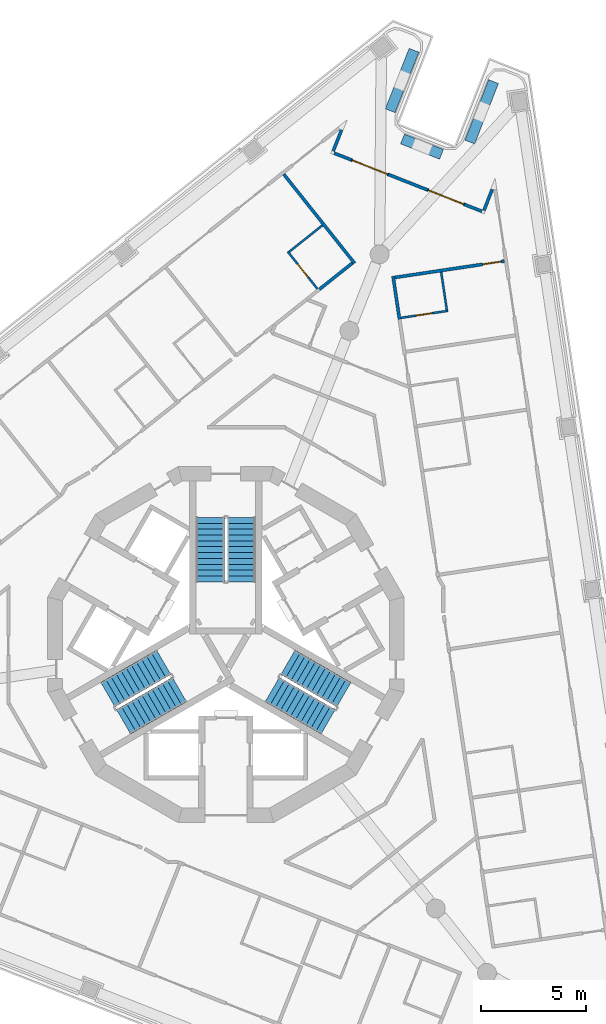
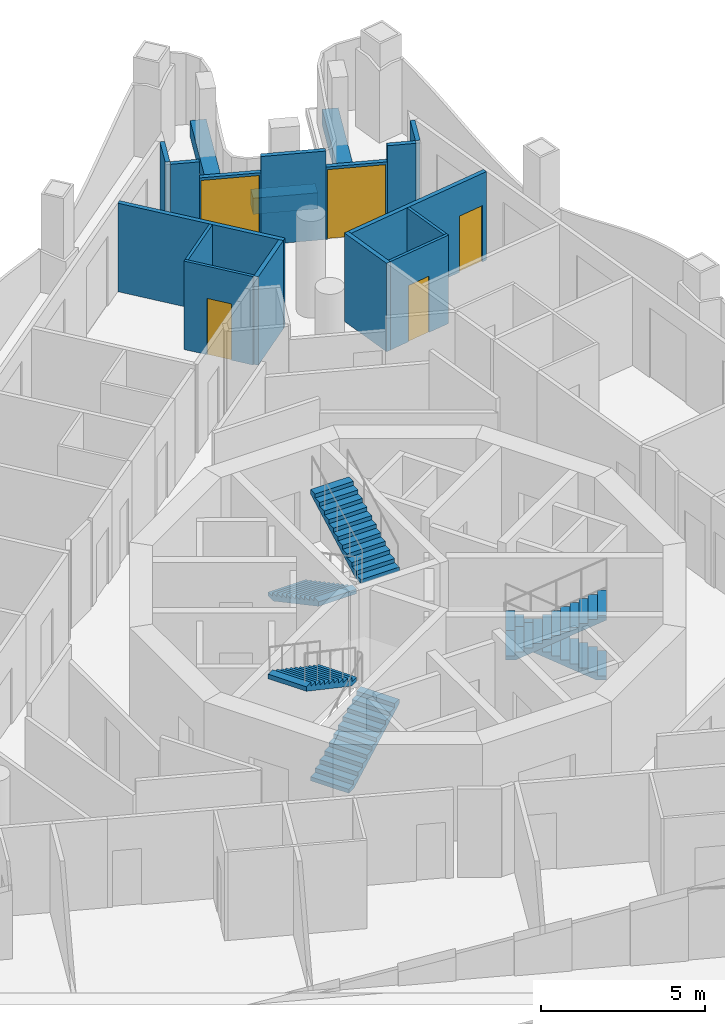
# One storey, part 9 of 16: 18 walls, 6 stair flights, 5 doors, 5 openings, 3 elements without a shape of their own.
"""IFC4 building model written with IfcOpenShell, lengths in metres."""

from ifc_helpers import new_model, si_unit, direction, frame, frame_2d, origin, place, context, subcontext, project, spatial, polyline, rectangle, outline, extrude, material, layer, layer_set, type_object, element, fill, aggregate, save


model = new_model("IFC4")

# Units and contexts
model_context = context("Model", 3, precision=1e-05, world=origin(), true_north=direction((0.0, 1.0)))
body_context = subcontext(model_context, "Body", "Model", "MODEL_VIEW")
ifc_project = project(units=[si_unit("LENGTHUNIT", "METRE"), si_unit("AREAUNIT", "SQUARE_METRE"), si_unit("VOLUMEUNIT", "CUBIC_METRE"), si_unit("PLANEANGLEUNIT", "RADIAN"), si_unit("MASSUNIT", "GRAM", prefix="KILO")], contexts=[model_context])

# Site, building, storey
site_placement = place(None, origin())
site = spatial("IfcSite", under=ifc_project, at=site_placement, CompositionType="ELEMENT")
building_placement = place(site_placement, origin())
building = spatial("IfcBuilding", under=site, at=building_placement, Name="Trine Commons Tower", CompositionType="ELEMENT")
storey_placement = place(building_placement, frame((0.0, 0.0, 205.199951171875)))
storey = spatial("IfcBuildingStorey", under=building, at=storey_placement, Name="L53", CompositionType="ELEMENT", Elevation=205.199951171875)

# Walls
ifc_material_1 = material(Name="Aluminium-framed insulated wall panel", Category="aluminium")
ifc_layer_1 = layer(ifc_material_1, 0.14990234375)
ifc_layer_set_1 = layer_set([ifc_layer_1], Name="Aluminium-framed insulated wall panel")
wall_type_1 = type_object("IfcWallType", Name="Glazed frame wall 150, EI 60", PredefinedType="SOLIDWALL", material=ifc_layer_set_1)
wall_1_placement = place(storey_placement, frame((85.575927734375, 87.201171875, 0.0), z_axis=(0.0, 0.0, 1.0), x_axis=(-0.366472142006, -0.930429024232, 0.0)))
element("IfcWall", 1, at=wall_1_placement, inside=storey, type_object=wall_type_1, Name="Glazed frame wall R2", PredefinedType="SOLIDWALL", context=body_context, shape_type="SweptSolid", body=[
    extrude(outline(polyline([(0.1494140625, 0.074951171875), (0.1494140625, -0.074951171875), (1.235107421875, -0.074951171875), (1.235107421875, 0.074951171875), (0.1494140625, 0.074951171875)])), origin(), (0.0, 0.0, 1.0), 3.300048828125),
])
wall_2_placement = place(storey_placement, frame((85.063232421875, 85.9951171875, 0.0), z_axis=(0.0, 0.0, 1.0), x_axis=(0.930433620143, -0.366460473323, 0.0)))
element("IfcWall", 2, at=wall_2_placement, inside=storey, type_object=wall_type_1, Name="Glazed frame wall P1.1", PredefinedType="SOLIDWALL", context=body_context, shape_type="SweptSolid", body=[
    extrude(outline(polyline([(0.110107421875, -0.074951171875), (1.0, -0.074951171875), (1.0, 0.074951171875), (0.110107421875, 0.074951171875), (0.110107421875, -0.074951171875)])), origin(), (0.0, 0.0, 1.0), 3.300048828125),
])

# Wall, opening, door
wall_3_placement = place(storey_placement, frame((85.99365234375, 85.628662109375, 0.0), z_axis=(0.0, 0.0, 1.0), x_axis=(0.930387146689, -0.366578446279, 0.0)))
wall_3 = element("IfcWall", 3, at=wall_3_placement, inside=storey, type_object=wall_type_1, Name="Glazed frame wall P1.2", PredefinedType="SOLIDWALL", context=body_context, shape_type="SweptSolid", body=[
    extrude(outline(polyline([(0.0, -0.074951171875), (1.89990234375, -0.074951171875), (1.89990234375, 0.074951171875), (0.0, 0.074951171875), (0.0, -0.074951171875)])), origin(), (0.0, 0.0, 1.0), 2.699951171875),
])
opening_1_placement = place(wall_3_placement, frame((0.050048828125, 0.0, 0.0)))
opening_1 = element("IfcOpeningElement", 4, at=opening_1_placement, cuts=wall_3, Name="Opening BD-6P1-01", PredefinedType="OPENING", context=body_context, shape_type="SweptSolid", body=[
    extrude(rectangle(XDim=1.800048828125, YDim=2.60009765625, at=frame_2d((0.89990234375, 1.300048828125))), frame((0.0, 0.0849609375, 0.0), z_axis=(0.0, -1.0, 0.0), x_axis=(1.0, 0.0, 0.0)), (0.0, 0.0, 1.0), 0.169921875),
])
ifc_material_2 = material(Name="Anodised aluminium frame with double glazing", Category="aluminium")
door_type_1 = type_object("IfcDoorType", Name="Sliding loggia door 1800x2600", OperationType="SLIDING_TO_LEFT", PredefinedType="DOOR", material=ifc_material_2)
door_1_placement = place(opening_1_placement, origin())
door_1 = element("IfcDoor", 5, at=door_1_placement, inside=storey, type_object=door_type_1, Name="Loggia door P1 1", OperationType="SLIDING_TO_LEFT", OverallHeight=2.60009765625, OverallWidth=1.800048828125, PredefinedType="DOOR", context=body_context, shape_type="SweptSolid", body=[
    extrude(rectangle(XDim=1.800048828125, YDim=2.60009765625, at=frame_2d((0.89990234375, 1.300048828125))), frame((0.0, 0.02490234375, 0.0), z_axis=(0.0, -1.0, 0.0), x_axis=(1.0, 0.0, 0.0)), (0.0, 0.0, 1.0), 0.050048828125),
])
fill(opening_1, door_1)

# Wall
wall_4_placement = place(storey_placement, frame((87.761474609375, 84.93212890625, 0.0), z_axis=(0.0, 0.0, 1.0), x_axis=(0.930433620143, -0.366460473323, 0.0)))
element("IfcWall", 6, at=wall_4_placement, inside=storey, type_object=wall_type_1, Name="Glazed frame wall P1.3", PredefinedType="SOLIDWALL", context=body_context, shape_type="SweptSolid", body=[
    extrude(outline(polyline([(0.0, -0.074951171875), (2.0, -0.074951171875), (2.0, 0.074951171875), (0.0, 0.074951171875), (0.0, -0.074951171875)])), origin(), (0.0, 0.0, 1.0), 3.300048828125),
])

# Wall, opening, door
wall_5_placement = place(storey_placement, frame((89.622314453125, 84.19921875, 0.0), z_axis=(0.0, 0.0, 1.0), x_axis=(0.930387146689, -0.366578446279, 0.0)))
wall_5 = element("IfcWall", 7, at=wall_5_placement, inside=storey, type_object=wall_type_1, Name="Glazed frame wall P1.4", PredefinedType="SOLIDWALL", context=body_context, shape_type="SweptSolid", body=[
    extrude(outline(polyline([(0.0, -0.074951171875), (1.89990234375, -0.074951171875), (1.89990234375, 0.074951171875), (0.0, 0.074951171875), (0.0, -0.074951171875)])), origin(), (0.0, 0.0, 1.0), 2.699951171875),
])
opening_2_placement = place(wall_5_placement, frame((0.050048828125, 0.0, 0.0)))
opening_2 = element("IfcOpeningElement", 8, at=opening_2_placement, cuts=wall_5, Name="Opening BD-6P1-02", PredefinedType="OPENING", context=body_context, shape_type="SweptSolid", body=[
    extrude(rectangle(XDim=1.800048828125, YDim=2.60009765625, at=frame_2d((0.89990234375, 1.300048828125))), frame((0.0, 0.0849609375, 0.0), z_axis=(0.0, -1.0, 0.0), x_axis=(1.0, 0.0, 0.0)), (0.0, 0.0, 1.0), 0.169921875),
])
door_2_placement = place(opening_2_placement, origin())
door_2 = element("IfcDoor", 9, at=door_2_placement, inside=storey, type_object=door_type_1, Name="Loggia door P1 2", OperationType="SLIDING_TO_LEFT", OverallHeight=2.60009765625, OverallWidth=1.800048828125, PredefinedType="DOOR", context=body_context, shape_type="SweptSolid", body=[
    extrude(rectangle(XDim=1.800048828125, YDim=2.60009765625, at=frame_2d((0.89990234375, 1.300048828125))), frame((0.0, 0.02490234375, 0.0), z_axis=(0.0, -1.0, 0.0), x_axis=(1.0, 0.0, 0.0)), (0.0, 0.0, 1.0), 0.050048828125),
])
fill(opening_2, door_2)

# Walls
wall_6_placement = place(storey_placement, frame((91.39013671875, 83.502685546875, 0.0), z_axis=(0.0, 0.0, 1.0), x_axis=(0.930433620143, -0.366460473323, 0.0)))
element("IfcWall", 10, at=wall_6_placement, inside=storey, type_object=wall_type_1, Name="Glazed frame wall P1.5", PredefinedType="SOLIDWALL", context=body_context, shape_type="SweptSolid", body=[
    extrude(outline(polyline([(0.889892578125, 0.074951171875), (0.0, 0.074951171875), (0.0, -0.074951171875), (0.889892578125, -0.074951171875), (0.889892578125, 0.074951171875)])), origin(), (0.0, 0.0, 1.0), 3.300048828125),
])
wall_7_placement = place(storey_placement, frame((92.275146484375, 83.11669921875, 0.0), z_axis=(0.0, 0.0, 1.0), x_axis=(0.366534042844, 0.9304046407, 0.0)))
element("IfcWall", 11, at=wall_7_placement, inside=storey, type_object=wall_type_1, Name="Glazed frame wall R4", PredefinedType="SOLIDWALL", context=body_context, shape_type="SweptSolid", body=[
    extrude(outline(polyline([(0.110107421875, 0.074951171875), (0.110107421875, -0.074951171875), (1.19580078125, -0.074951171875), (1.19580078125, 0.074951171875), (0.110107421875, 0.074951171875)])), origin(), (0.0, 0.0, 1.0), 3.300048828125),
])
ifc_material_3 = material(Name="Planter trough, precast concrete C40/50", Category="concrete")
ifc_layer_2 = layer(ifc_material_3, 0.5)
ifc_layer_set_2 = layer_set([ifc_layer_2], Name="Planter trough, precast concrete C40/50")
wall_type_2 = type_object("IfcWallType", Name="Planter trough 500x600", PredefinedType="PARAPET", material=ifc_layer_set_2)
wall_8_placement = place(storey_placement, frame((88.97998046875, 90.86328125, 0.0), z_axis=(0.0, 0.0, 1.0), x_axis=(-0.366456340628, -0.930435247835, 0.0)))
element("IfcWall", 12, at=wall_8_placement, inside=storey, type_object=wall_type_2, Name="Planter 4", PredefinedType="PARAPET", context=body_context, shape_type="SweptSolid", body=[
    extrude(rectangle(XDim=3.099853515625, YDim=0.5, at=frame_2d((1.5498046875, 0.0))), origin(), (0.0, 0.0, 1.0), 0.60009765625),
])
wall_9_placement = place(storey_placement, frame((88.430419921875, 86.630126953125, 0.0), z_axis=(0.0, 0.0, 1.0), x_axis=(0.930417223886, -0.366502100263, 0.0)))
element("IfcWall", 13, at=wall_9_placement, inside=storey, type_object=wall_type_2, Name="Planter 5", PredefinedType="PARAPET", context=body_context, shape_type="SweptSolid", body=[
    extrude(rectangle(XDim=1.999755859375, YDim=0.5, at=frame_2d((1.0, 0.0))), origin(), (0.0, 0.0, 1.0), 0.60009765625),
])
wall_10_placement = place(storey_placement, frame((91.639892578125, 86.483642578125, 0.0), z_axis=(0.0, 0.0, 1.0), x_axis=(0.366524518382, 0.930408392817, 0.0)))
element("IfcWall", 14, at=wall_10_placement, inside=storey, type_object=wall_type_2, Name="Planter 6", PredefinedType="PARAPET", context=body_context, shape_type="SweptSolid", body=[
    extrude(rectangle(XDim=3.10009765625, YDim=0.5, at=frame_2d((1.550048828125, 0.0))), origin(), (0.0, 0.0, 1.0), 0.60009765625),
])
ifc_material_4 = material(Name="Gypsum plasterboard on steel stud", Category="steel")
ifc_layer_3 = layer(ifc_material_4, 0.14990234375)
ifc_layer_set_3 = layer_set([ifc_layer_3], Name="Gypsum plasterboard on steel stud")
wall_type_3 = type_object("IfcWallType", Name="Unit and corridor wall 150 mm, EI 60", PredefinedType="PARTITIONING", material=ifc_layer_set_3)
wall_11_placement = place(storey_placement, frame((82.761962890625, 84.94970703125, 0.0), z_axis=(0.0, 0.0, 1.0), x_axis=(0.622457280045, -0.782653776915, 0.0)))
element("IfcWall", 15, at=wall_11_placement, inside=storey, type_object=wall_type_3, Name="Partition 065", PredefinedType="PARTITIONING", context=body_context, shape_type="SweptSolid", body=[
    extrude(rectangle(XDim=5.4345703125, YDim=0.14990234375, at=frame_2d((2.71728515625, 0.0))), origin(), (0.0, 0.0, 1.0), 3.300048828125),
])
wall_12_placement = place(storey_placement, frame((84.4130859375, 79.4150390625, 0.0), z_axis=(0.0, 0.0, 1.0), x_axis=(0.782688216637, 0.622413974407, 0.0)))
element("IfcWall", 16, at=wall_12_placement, inside=storey, type_object=wall_type_3, Name="Partition 078", PredefinedType="PARTITIONING", context=body_context, shape_type="SweptSolid", body=[
    extrude(rectangle(XDim=2.07763671875, YDim=0.14990234375, at=frame_2d((1.038818359375, 0.0))), origin(), (0.0, 0.0, 1.0), 3.300048828125),
])
wall_13_placement = place(storey_placement, frame((87.97900390625, 80.084228515625, 0.0), z_axis=(0.0, 0.0, 1.0), x_axis=(0.147880939426, -0.989005170742, 0.0)))
element("IfcWall", 17, at=wall_13_placement, inside=storey, type_object=wall_type_3, Name="Partition 088", PredefinedType="PARTITIONING", context=body_context, shape_type="SweptSolid", body=[
    extrude(rectangle(XDim=2.07861328125, YDim=0.14990234375, at=frame_2d((1.039306640625, 0.0))), origin(), (0.0, 0.0, 1.0), 3.300048828125),
])

# Wall, opening, door
wall_14_placement = place(storey_placement, frame((88.064208984375, 80.02099609375, 0.0), z_axis=(0.0, 0.0, 1.0), x_axis=(0.988994889639, 0.147949681543, 0.0)))
wall_14 = element("IfcWall", 18, at=wall_14_placement, inside=storey, type_object=wall_type_3, Name="Partition 089", PredefinedType="PARTITIONING", context=body_context, shape_type="SweptSolid", body=[
    extrude(rectangle(XDim=5.285400390625, YDim=0.14990234375, at=frame_2d((2.642578125, 0.0))), origin(), (0.0, 0.0, 1.0), 3.300048828125),
])
opening_3_placement = place(wall_14_placement, frame((4.2353515625, 0.0, 0.0)))
opening_3 = element("IfcOpeningElement", 19, at=opening_3_placement, cuts=wall_14, Name="Opening D-6A13", PredefinedType="OPENING", context=body_context, shape_type="SweptSolid", body=[
    extrude(rectangle(XDim=0.89990234375, YDim=2.10009765625, at=frame_2d((0.449951171875, 1.050048828125))), frame((0.0, 0.0849609375, 0.0), z_axis=(0.0, -1.0, 0.0), x_axis=(1.0, 0.0, 0.0)), (0.0, 0.0, 1.0), 0.169921875),
])
ifc_material_5 = material(Name="Timber fire door set", Category="wood")
door_type_2 = type_object("IfcDoorType", Name="Bedroom door 900 x 2100, FD30S", OperationType="NOTDEFINED", PredefinedType="DOOR", material=ifc_material_5)
door_3_placement = place(opening_3_placement, frame((0.89990234375, 0.0, 0.0), z_axis=(0.0, 0.0, 1.0), x_axis=(-1.0, 0.0, 0.0)))
door_3 = element("IfcDoor", 20, at=door_3_placement, inside=storey, type_object=door_type_2, Name="Door D-6A13", OperationType="SINGLE_SWING_LEFT", OverallHeight=2.10009765625, OverallWidth=0.89990234375, PredefinedType="DOOR", context=body_context, shape_type="SweptSolid", body=[
    extrude(rectangle(XDim=0.89990234375, YDim=2.10009765625, at=frame_2d((0.449951171875, 1.050048828125))), frame((0.0, 0.02490234375, 0.0), z_axis=(0.0, -1.0, 0.0), x_axis=(1.0, 0.0, 0.0)), (0.0, 0.0, 1.0), 0.050048828125),
])
fill(opening_3, door_3)

ifc_layer_4 = layer(ifc_material_4, 0.10009765625)
ifc_layer_set_4 = layer_set([ifc_layer_4], Name="Gypsum plasterboard on steel stud")
wall_type_4 = type_object("IfcWallType", Name="Unit partition 100 mm, no rating", PredefinedType="PARTITIONING", material=ifc_layer_set_4)
wall_15_placement = place(storey_placement, frame((82.952880859375, 81.256103515625, 0.0), z_axis=(0.0, 0.0, 1.0), x_axis=(0.622572854105, -0.782561845052, 0.0)))
wall_15 = element("IfcWall", 21, at=wall_15_placement, inside=storey, type_object=wall_type_4, Name="Partition 069", PredefinedType="PARTITIONING", context=body_context, shape_type="SweptSolid", body=[
    extrude(rectangle(XDim=2.275146484375, YDim=0.10009765625, at=frame_2d((1.1376953125, 0.0))), origin(), (0.0, 0.0, 1.0), 3.300048828125),
])
opening_4_placement = place(wall_15_placement, frame((0.7626953125, 0.0, 0.0)))
opening_4 = element("IfcOpeningElement", 22, at=opening_4_placement, cuts=wall_15, Name="Opening D-6A33", PredefinedType="OPENING", context=body_context, shape_type="SweptSolid", body=[
    extrude(rectangle(XDim=0.800048828125, YDim=2.10009765625, at=frame_2d((0.39990234375, 1.050048828125))), frame((0.0, 0.06005859375, 0.0), z_axis=(0.0, -1.0, 0.0), x_axis=(1.0, 0.0, 0.0)), (0.0, 0.0, 1.0), 0.1201171875),
])
ifc_material_6 = material(Name="Painted timber", Category="wood")
door_type_3 = type_object("IfcDoorType", Name="Internal door 800 x 2100, NOT RATED", OperationType="NOTDEFINED", PredefinedType="DOOR", material=ifc_material_6)
door_4_placement = place(opening_4_placement, frame((0.800048828125, 0.0, 0.0), z_axis=(0.0, 0.0, 1.0), x_axis=(-1.0, 0.0, 0.0)))
door_4 = element("IfcDoor", 23, at=door_4_placement, inside=storey, type_object=door_type_3, Name="Door D-6A33", OperationType="SINGLE_SWING_LEFT", OverallHeight=2.10009765625, OverallWidth=0.800048828125, PredefinedType="DOOR", context=body_context, shape_type="SweptSolid", body=[
    extrude(rectangle(XDim=0.800048828125, YDim=2.10009765625, at=frame_2d((0.39990234375, 1.050048828125))), frame((0.0, 0.02490234375, 0.0), z_axis=(0.0, -1.0, 0.0), x_axis=(1.0, 0.0, 0.0)), (0.0, 0.0, 1.0), 0.050048828125),
])
fill(opening_4, door_4)

# Wall
wall_16_placement = place(storey_placement, frame((83.023193359375, 81.248046875, 0.0), z_axis=(0.0, 0.0, 1.0), x_axis=(0.782770551169, 0.622310424324, 0.0)))
element("IfcWall", 24, at=wall_16_placement, inside=storey, type_object=wall_type_4, Name="Partition 070", PredefinedType="PARTITIONING", context=body_context, shape_type="SweptSolid", body=[
    extrude(rectangle(XDim=2.025146484375, YDim=0.10009765625, at=frame_2d((1.0126953125, 0.0))), origin(), (0.0, 0.0, 1.0), 3.300048828125),
])

# Wall, opening, door
wall_17_placement = place(storey_placement, frame((88.352294921875, 78.093017578125, 0.0), z_axis=(0.0, 0.0, 1.0), x_axis=(0.989007860101, 0.147862952286, 0.0)))
wall_17 = element("IfcWall", 25, at=wall_17_placement, inside=storey, type_object=wall_type_4, Name="Partition 090", PredefinedType="PARTITIONING", context=body_context, shape_type="SweptSolid", body=[
    extrude(rectangle(XDim=2.275146484375, YDim=0.10009765625, at=frame_2d((1.1376953125, 0.0))), origin(), (0.0, 0.0, 1.0), 3.300048828125),
])
opening_5_placement = place(wall_17_placement, frame((0.712646484375, 0.0, 0.0)))
opening_5 = element("IfcOpeningElement", 26, at=opening_5_placement, cuts=wall_17, Name="Opening D-6A34", PredefinedType="OPENING", context=body_context, shape_type="SweptSolid", body=[
    extrude(rectangle(XDim=0.800048828125, YDim=2.10009765625, at=frame_2d((0.39990234375, 1.050048828125))), frame((0.0, 0.06005859375, 0.0), z_axis=(0.0, -1.0, 0.0), x_axis=(1.0, 0.0, 0.0)), (0.0, 0.0, 1.0), 0.1201171875),
])
door_5_placement = place(opening_5_placement, frame((0.800048828125, 0.0, 0.0), z_axis=(0.0, 0.0, 1.0), x_axis=(-1.0, 0.0, 0.0)))
door_5 = element("IfcDoor", 27, at=door_5_placement, inside=storey, type_object=door_type_3, Name="Door D-6A34", OperationType="SINGLE_SWING_RIGHT", OverallHeight=2.10009765625, OverallWidth=0.800048828125, PredefinedType="DOOR", context=body_context, shape_type="SweptSolid", body=[
    extrude(rectangle(XDim=0.800048828125, YDim=2.10009765625, at=frame_2d((0.39990234375, 1.050048828125))), frame((0.0, 0.02490234375, 0.0), z_axis=(0.0, -1.0, 0.0), x_axis=(1.0, 0.0, 0.0)), (0.0, 0.0, 1.0), 0.050048828125),
])
fill(opening_5, door_5)

# Wall
wall_18_placement = place(storey_placement, frame((90.276123046875, 80.27587890625, 0.0), z_axis=(0.0, 0.0, 1.0), x_axis=(0.14773187693, -0.989027447819, 0.0)))
element("IfcWall", 28, at=wall_18_placement, inside=storey, type_object=wall_type_4, Name="Partition 106", PredefinedType="PARTITIONING", context=body_context, shape_type="SweptSolid", body=[
    extrude(rectangle(XDim=1.824462890625, YDim=0.10009765625, at=frame_2d((0.912109375, 0.0))), origin(), (0.0, 0.0, 1.0), 3.300048828125),
])

# Stair, stair flights
ifc_material_7 = material(Name="Concrete C50/60", Category="concrete")
stair_type = type_object("IfcStairType", Name="Exit stair, dog-leg, 24 risers of 150 mm", PredefinedType="HALF_TURN_STAIR", material=ifc_material_7)
stair_1_placement = place(storey_placement, origin())
stair_1 = element("IfcStair", 29, at=stair_1_placement, inside=storey, type_object=stair_type, Name="L53 Exit stair ST1C", PredefinedType="HALF_TURN_STAIR")
stair_flight_type = type_object("IfcStairFlightType", Name="Stair flight, 1350 wide, 12 risers of 150 mm", PredefinedType="STRAIGHT", material=ifc_material_7)
stair_flight_1_placement = place(storey_placement, frame((79.25, 68.570556640625, 0.0), z_axis=(0.0, 0.0, 1.0), x_axis=(0.0, -1.0, 0.0)))
stair_flight_1 = element("IfcStairFlight", 30, at=stair_flight_1_placement, type_object=stair_flight_type, Name="ST1C flight 1", NumberOfRisers=12, NumberOfTreads=11, PredefinedType="STRAIGHT", RiserHeight=0.15, TreadLength=0.28, context=body_context, shape_type="SweptSolid", body=[
    extrude(outline(polyline([(0.0, 0.0), (0.0, 0.14990234375), (0.280029296875, 0.14990234375), (0.280029296875, 0.300048828125), (0.56005859375, 0.300048828125), (0.56005859375, 0.449951171875), (0.840087890625, 0.449951171875), (0.840087890625, 0.60009765625), (1.1201171875, 0.60009765625), (1.1201171875, 0.75), (1.39990234375, 0.75), (1.39990234375, 0.89990234375), (1.679931640625, 0.89990234375), (1.679931640625, 1.050048828125), (1.9599609375, 1.050048828125), (1.9599609375, 1.199951171875), (2.239990234375, 1.199951171875), (2.239990234375, 1.35009765625), (2.52001953125, 1.35009765625), (2.52001953125, 1.5), (2.800048828125, 1.5), (2.800048828125, 1.64990234375), (3.080078125, 1.64990234375), (3.080078125, 1.800048828125), (3.080078125, 1.47998046875), (0.3173828125, 0.0), (0.0, 0.0)])), frame((0.0, 0.675048828125, 0.0), z_axis=(0.0, -1.0, 0.0), x_axis=(1.0, 0.0, 0.0)), (0.0, 0.0, 1.0), 1.35009765625),
])
stair_flight_2_placement = place(storey_placement, frame((80.75, 65.490478515625, 1.800048828125), z_axis=(0.0, 0.0, 1.0), x_axis=(0.0, 1.0, 0.0)))
stair_flight_2 = element("IfcStairFlight", 31, at=stair_flight_2_placement, type_object=stair_flight_type, Name="ST1C flight 2", NumberOfRisers=12, NumberOfTreads=11, PredefinedType="STRAIGHT", RiserHeight=0.15, TreadLength=0.28, context=body_context, shape_type="SweptSolid", body=[
    extrude(outline(polyline([(0.0, 0.0), (0.0, 0.14990234375), (0.280029296875, 0.14990234375), (0.280029296875, 0.300048828125), (0.56005859375, 0.300048828125), (0.56005859375, 0.449951171875), (0.840087890625, 0.449951171875), (0.840087890625, 0.60009765625), (1.1201171875, 0.60009765625), (1.1201171875, 0.75), (1.39990234375, 0.75), (1.39990234375, 0.89990234375), (1.679931640625, 0.89990234375), (1.679931640625, 1.050048828125), (1.9599609375, 1.050048828125), (1.9599609375, 1.199951171875), (2.239990234375, 1.199951171875), (2.239990234375, 1.35009765625), (2.52001953125, 1.35009765625), (2.52001953125, 1.5), (2.800048828125, 1.5), (2.800048828125, 1.64990234375), (3.080078125, 1.64990234375), (3.080078125, 1.800048828125), (3.080078125, 1.47998046875), (0.3173828125, 0.0), (0.0, 0.0)])), frame((0.0, 0.675048828125, 0.0), z_axis=(0.0, -1.0, 0.0), x_axis=(1.0, 0.0, 0.0)), (0.0, 0.0, 1.0), 1.35009765625),
])
aggregate(stair_1, [stair_flight_1, stair_flight_2])

stair_2_placement = place(storey_placement, origin())
stair_2 = element("IfcStair", 32, at=stair_2_placement, inside=storey, type_object=stair_type, Name="L53 Exit stair ST2C", PredefinedType="HALF_TURN_STAIR")
stair_flight_3_placement = place(storey_placement, frame((75.11767578125, 58.815185546875, 0.0), z_axis=(0.0, 0.0, 1.0), x_axis=(0.866025403784, 0.5, 0.0)))
stair_flight_3 = element("IfcStairFlight", 33, at=stair_flight_3_placement, type_object=stair_flight_type, Name="ST2C flight 1", NumberOfRisers=12, NumberOfTreads=11, PredefinedType="STRAIGHT", RiserHeight=0.15, TreadLength=0.28, context=body_context, shape_type="SweptSolid", body=[
    extrude(outline(polyline([(0.0, 0.0), (0.0, 0.14990234375), (0.280029296875, 0.14990234375), (0.280029296875, 0.300048828125), (0.56005859375, 0.300048828125), (0.56005859375, 0.449951171875), (0.840087890625, 0.449951171875), (0.840087890625, 0.60009765625), (1.1201171875, 0.60009765625), (1.1201171875, 0.75), (1.39990234375, 0.75), (1.39990234375, 0.89990234375), (1.679931640625, 0.89990234375), (1.679931640625, 1.050048828125), (1.9599609375, 1.050048828125), (1.9599609375, 1.199951171875), (2.239990234375, 1.199951171875), (2.239990234375, 1.35009765625), (2.52001953125, 1.35009765625), (2.52001953125, 1.5), (2.800048828125, 1.5), (2.800048828125, 1.64990234375), (3.080078125, 1.64990234375), (3.080078125, 1.800048828125), (3.080078125, 1.47998046875), (0.3173828125, 0.0), (0.0, 0.0)])), frame((0.0, 0.675048828125, 0.0), z_axis=(0.0, -1.0, 0.0), x_axis=(1.0, 0.0, 0.0)), (0.0, 0.0, 1.0), 1.35009765625),
])
stair_flight_4_placement = place(storey_placement, frame((77.03515625, 61.654296875, 1.800048828125), z_axis=(0.0, 0.0, 1.0), x_axis=(-0.866025403784, -0.5, 0.0)))
stair_flight_4 = element("IfcStairFlight", 34, at=stair_flight_4_placement, type_object=stair_flight_type, Name="ST2C flight 2", NumberOfRisers=12, NumberOfTreads=11, PredefinedType="STRAIGHT", RiserHeight=0.15, TreadLength=0.28, context=body_context, shape_type="SweptSolid", body=[
    extrude(outline(polyline([(0.0, 0.0), (0.0, 0.14990234375), (0.280029296875, 0.14990234375), (0.280029296875, 0.300048828125), (0.56005859375, 0.300048828125), (0.56005859375, 0.449951171875), (0.840087890625, 0.449951171875), (0.840087890625, 0.60009765625), (1.1201171875, 0.60009765625), (1.1201171875, 0.75), (1.39990234375, 0.75), (1.39990234375, 0.89990234375), (1.679931640625, 0.89990234375), (1.679931640625, 1.050048828125), (1.9599609375, 1.050048828125), (1.9599609375, 1.199951171875), (2.239990234375, 1.199951171875), (2.239990234375, 1.35009765625), (2.52001953125, 1.35009765625), (2.52001953125, 1.5), (2.800048828125, 1.5), (2.800048828125, 1.64990234375), (3.080078125, 1.64990234375), (3.080078125, 1.800048828125), (3.080078125, 1.47998046875), (0.3173828125, 0.0), (0.0, 0.0)])), frame((0.0, 0.675048828125, 0.0), z_axis=(0.0, -1.0, 0.0), x_axis=(1.0, 0.0, 0.0)), (0.0, 0.0, 1.0), 1.35009765625),
])
aggregate(stair_2, [stair_flight_3, stair_flight_4])

stair_3_placement = place(storey_placement, origin())
stair_3 = element("IfcStair", 35, at=stair_3_placement, inside=storey, type_object=stair_type, Name="L53 Exit stair ST3C", PredefinedType="HALF_TURN_STAIR")
stair_flight_5_placement = place(storey_placement, frame((85.63232421875, 60.1142578125, 0.0), z_axis=(0.0, 0.0, 1.0), x_axis=(-0.866025403784, 0.5, 0.0)))
stair_flight_5 = element("IfcStairFlight", 36, at=stair_flight_5_placement, type_object=stair_flight_type, Name="ST3C flight 1", NumberOfRisers=12, NumberOfTreads=11, PredefinedType="STRAIGHT", RiserHeight=0.15, TreadLength=0.28, context=body_context, shape_type="SweptSolid", body=[
    extrude(outline(polyline([(0.0, 0.0), (0.0, 0.14990234375), (0.280029296875, 0.14990234375), (0.280029296875, 0.300048828125), (0.56005859375, 0.300048828125), (0.56005859375, 0.449951171875), (0.840087890625, 0.449951171875), (0.840087890625, 0.60009765625), (1.1201171875, 0.60009765625), (1.1201171875, 0.75), (1.39990234375, 0.75), (1.39990234375, 0.89990234375), (1.679931640625, 0.89990234375), (1.679931640625, 1.050048828125), (1.9599609375, 1.050048828125), (1.9599609375, 1.199951171875), (2.239990234375, 1.199951171875), (2.239990234375, 1.35009765625), (2.52001953125, 1.35009765625), (2.52001953125, 1.5), (2.800048828125, 1.5), (2.800048828125, 1.64990234375), (3.080078125, 1.64990234375), (3.080078125, 1.800048828125), (3.080078125, 1.47998046875), (0.3173828125, 0.0), (0.0, 0.0)])), frame((0.0, 0.675048828125, 0.0), z_axis=(0.0, -1.0, 0.0), x_axis=(1.0, 0.0, 0.0)), (0.0, 0.0, 1.0), 1.35009765625),
])
stair_flight_6_placement = place(storey_placement, frame((82.21484375, 60.355224609375, 1.800048828125), z_axis=(0.0, 0.0, 1.0), x_axis=(0.866025403784, -0.5, 0.0)))
stair_flight_6 = element("IfcStairFlight", 37, at=stair_flight_6_placement, type_object=stair_flight_type, Name="ST3C flight 2", NumberOfRisers=12, NumberOfTreads=11, PredefinedType="STRAIGHT", RiserHeight=0.15, TreadLength=0.28, context=body_context, shape_type="SweptSolid", body=[
    extrude(outline(polyline([(0.0, 0.0), (0.0, 0.14990234375), (0.280029296875, 0.14990234375), (0.280029296875, 0.300048828125), (0.56005859375, 0.300048828125), (0.56005859375, 0.449951171875), (0.840087890625, 0.449951171875), (0.840087890625, 0.60009765625), (1.1201171875, 0.60009765625), (1.1201171875, 0.75), (1.39990234375, 0.75), (1.39990234375, 0.89990234375), (1.679931640625, 0.89990234375), (1.679931640625, 1.050048828125), (1.9599609375, 1.050048828125), (1.9599609375, 1.199951171875), (2.239990234375, 1.199951171875), (2.239990234375, 1.35009765625), (2.52001953125, 1.35009765625), (2.52001953125, 1.5), (2.800048828125, 1.5), (2.800048828125, 1.64990234375), (3.080078125, 1.64990234375), (3.080078125, 1.800048828125), (3.080078125, 1.47998046875), (0.3173828125, 0.0), (0.0, 0.0)])), frame((0.0, 0.675048828125, 0.0), z_axis=(0.0, -1.0, 0.0), x_axis=(1.0, 0.0, 0.0)), (0.0, 0.0, 1.0), 1.35009765625),
])
aggregate(stair_3, [stair_flight_5, stair_flight_6])

save(model, "model.ifc")
